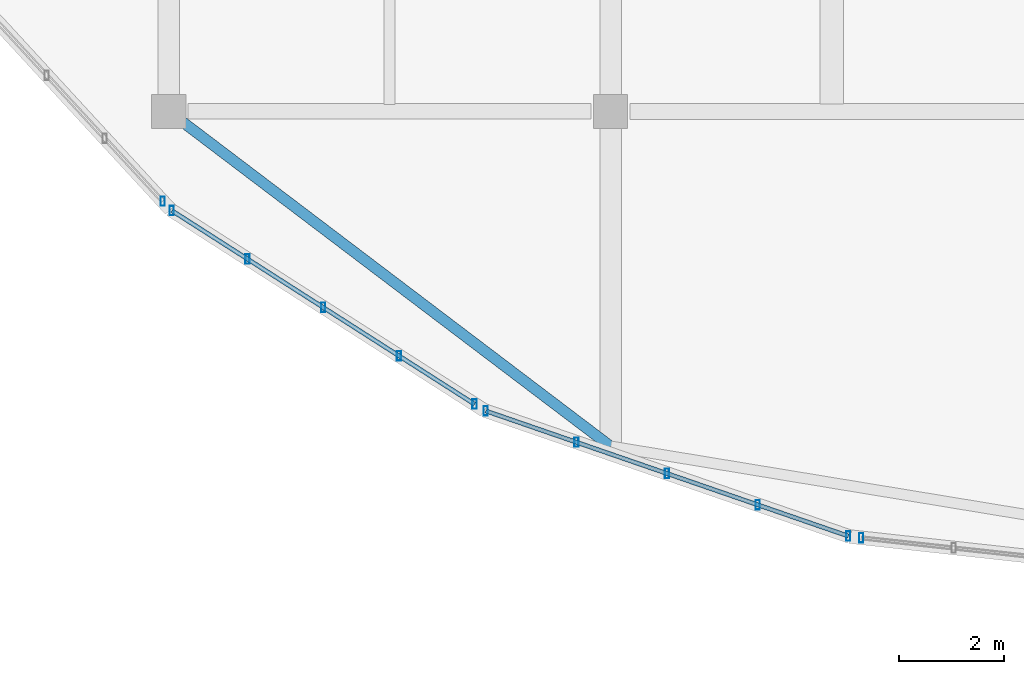
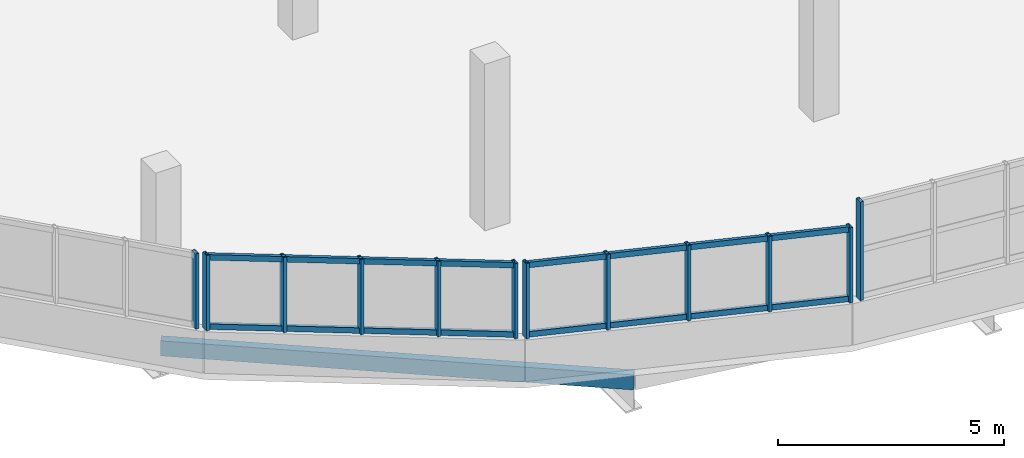
# One storey, part 3 of 50: 16 members, 1 beam, 4 elements without a shape of their own.
"""IFC4 building model written with IfcOpenShell, lengths in metres."""

from ifc_helpers import new_model, si_unit, direction, frame, origin, origin_2d, place, context, subcontext, project, spatial, hollow_rectangle, extrude, material, material_profile, profile_set, type_object, element, aggregate, save


model = new_model("IFC4")

# Units and contexts
model_context = context("Model", 3, precision=1e-05, world=origin(), true_north=direction((0.0, 1.0)))
body_context = subcontext(model_context, "Body", "Model", "MODEL_VIEW")
ifc_project = project(units=[si_unit("LENGTHUNIT", "METRE"), si_unit("AREAUNIT", "SQUARE_METRE"), si_unit("VOLUMEUNIT", "CUBIC_METRE"), si_unit("PLANEANGLEUNIT", "RADIAN"), si_unit("MASSUNIT", "GRAM", prefix="KILO")], contexts=[model_context])

# Site, building, storey
site_placement = place(None, origin())
site = spatial("IfcSite", under=ifc_project, at=site_placement, CompositionType="ELEMENT")
building_placement = place(site_placement, origin())
building = spatial("IfcBuilding", under=site, at=building_placement, Name="Solvento Point Concert Hall", CompositionType="ELEMENT")
storey_placement = place(building_placement, frame((0.0, 0.0, 15.0)))
storey = spatial("IfcBuildingStorey", under=building, at=storey_placement, Name="L03", CompositionType="ELEMENT", Elevation=15.0)

# Curtain wall, members
ifc_material_1 = material(Name="Anodized Bronze Aluminium", Category="aluminium")
curtain_wall_type = type_object("IfcCurtainWallType", Name="CurtainWall_RingRibbon_L03_04", PredefinedType="USERDEFINED", material=ifc_material_1)
curtain_wall_1_placement = place(storey_placement, origin())
curtain_wall_1 = element("IfcCurtainWall", 1, at=curtain_wall_1_placement, inside=storey, type_object=curtain_wall_type, Name="Unitised curtain wall CW-31 UCW-L03-186", ObjectType="UNITISED CURTAIN WALL", PredefinedType="USERDEFINED")
ifc_material_2 = material(Name="Anodized Bronze Aluminium", Category="aluminium")
ifc_material_profile_1 = material_profile(ifc_material_2, hollow_rectangle(XDim=0.080078125, YDim=0.179931640625, WallThickness=0.00390625, at=origin_2d()), Name="CW-MUL-80X180")
ifc_profile_set_1 = profile_set([ifc_material_profile_1], Name="Anodized Bronze Aluminium")
member_type_1 = type_object("IfcMemberType", Name="Mullion_80x180", PredefinedType="MULLION", material=ifc_profile_set_1)
member_1_placement = place(storey_placement, frame((53.717529296875, 8.927490234375, 1.1201171875), z_axis=(0.0, 0.0, 1.0), x_axis=(1.0, 0.0, 0.0)))
member_1 = element("IfcMember", 2, at=member_1_placement, type_object=member_type_1, Name="Curtain wall mullion ML-01", PredefinedType="MULLION", context=body_context, shape_type="SweptSolid", body=[
    extrude(hollow_rectangle(XDim=0.080078125, YDim=0.179931640625, WallThickness=0.00390625, at=origin_2d()), origin(), (0.0, 0.0, 1.0), 2.031982421875),
])
member_2_placement = place(storey_placement, frame((51.995361328125, 9.522216796875, 1.1201171875), z_axis=(0.0, 0.0, 1.0), x_axis=(1.0, 0.0, 0.0)))
member_2 = element("IfcMember", 3, at=member_2_placement, type_object=member_type_1, Name="Curtain wall mullion ML-01", PredefinedType="MULLION", context=body_context, shape_type="SweptSolid", body=[
    extrude(hollow_rectangle(XDim=0.080078125, YDim=0.179931640625, WallThickness=0.00390625, at=origin_2d()), origin(), (0.0, 0.0, 1.0), 2.031982421875),
])
member_3_placement = place(storey_placement, frame((50.27294921875, 10.11669921875, 1.1201171875), z_axis=(0.0, 0.0, 1.0), x_axis=(1.0, 0.0, 0.0)))
member_3 = element("IfcMember", 4, at=member_3_placement, type_object=member_type_1, Name="Curtain wall mullion ML-01", PredefinedType="MULLION", context=body_context, shape_type="SweptSolid", body=[
    extrude(hollow_rectangle(XDim=0.080078125, YDim=0.179931640625, WallThickness=0.00390625, at=origin_2d()), origin(), (0.0, 0.0, 1.0), 2.031982421875),
])
member_4_placement = place(storey_placement, frame((48.55078125, 10.711181640625, 1.1201171875), z_axis=(0.0, 0.0, 1.0), x_axis=(1.0, 0.0, 0.0)))
member_4 = element("IfcMember", 5, at=member_4_placement, type_object=member_type_1, Name="Curtain wall mullion ML-01", PredefinedType="MULLION", context=body_context, shape_type="SweptSolid", body=[
    extrude(hollow_rectangle(XDim=0.080078125, YDim=0.179931640625, WallThickness=0.00390625, at=origin_2d()), origin(), (0.0, 0.0, 1.0), 2.031982421875),
])
member_5_placement = place(storey_placement, frame((46.828369140625, 11.3056640625, 1.1201171875), z_axis=(0.0, 0.0, 1.0), x_axis=(1.0, 0.0, 0.0)))
member_5 = element("IfcMember", 6, at=member_5_placement, type_object=member_type_1, Name="Curtain wall mullion ML-01", PredefinedType="MULLION", context=body_context, shape_type="SweptSolid", body=[
    extrude(hollow_rectangle(XDim=0.080078125, YDim=0.179931640625, WallThickness=0.00390625, at=origin_2d()), origin(), (0.0, 0.0, 1.0), 2.031982421875),
])

curtain_wall_2_placement = place(storey_placement, origin())
curtain_wall_2 = element("IfcCurtainWall", 7, at=curtain_wall_2_placement, inside=storey, type_object=curtain_wall_type, Name="Unitised curtain wall CW-31 UCW-L03-187", ObjectType="UNITISED CURTAIN WALL", PredefinedType="USERDEFINED")
member_6_placement = place(storey_placement, frame((46.61474609375, 11.433837890625, 1.1201171875), z_axis=(0.0, 0.0, 1.0), x_axis=(1.0, 0.0, 0.0)))
member_6 = element("IfcMember", 8, at=member_6_placement, type_object=member_type_1, Name="Curtain wall mullion ML-01", PredefinedType="MULLION", context=body_context, shape_type="SweptSolid", body=[
    extrude(hollow_rectangle(XDim=0.080078125, YDim=0.179931640625, WallThickness=0.00390625, at=origin_2d()), origin(), (0.0, 0.0, 1.0), 2.031982421875),
])
member_7_placement = place(storey_placement, frame((45.176025390625, 12.353759765625, 1.1201171875), z_axis=(0.0, 0.0, 1.0), x_axis=(1.0, 0.0, 0.0)))
member_7 = element("IfcMember", 9, at=member_7_placement, type_object=member_type_1, Name="Curtain wall mullion ML-01", PredefinedType="MULLION", context=body_context, shape_type="SweptSolid", body=[
    extrude(hollow_rectangle(XDim=0.080078125, YDim=0.179931640625, WallThickness=0.00390625, at=origin_2d()), origin(), (0.0, 0.0, 1.0), 2.031982421875),
])
member_8_placement = place(storey_placement, frame((43.737548828125, 13.273681640625, 1.1201171875), z_axis=(0.0, 0.0, 1.0), x_axis=(1.0, 0.0, 0.0)))
member_8 = element("IfcMember", 10, at=member_8_placement, type_object=member_type_1, Name="Curtain wall mullion ML-01", PredefinedType="MULLION", context=body_context, shape_type="SweptSolid", body=[
    extrude(hollow_rectangle(XDim=0.080078125, YDim=0.179931640625, WallThickness=0.00390625, at=origin_2d()), origin(), (0.0, 0.0, 1.0), 2.031982421875),
])
member_9_placement = place(storey_placement, frame((42.299072265625, 14.193359375, 1.1201171875), z_axis=(0.0, 0.0, 1.0), x_axis=(1.0, 0.0, 0.0)))
member_9 = element("IfcMember", 11, at=member_9_placement, type_object=member_type_1, Name="Curtain wall mullion ML-01", PredefinedType="MULLION", context=body_context, shape_type="SweptSolid", body=[
    extrude(hollow_rectangle(XDim=0.080078125, YDim=0.179931640625, WallThickness=0.00390625, at=origin_2d()), origin(), (0.0, 0.0, 1.0), 2.031982421875),
])
member_10_placement = place(storey_placement, frame((40.860595703125, 15.11328125, 1.1201171875), z_axis=(0.0, 0.0, 1.0), x_axis=(1.0, 0.0, 0.0)))
member_10 = element("IfcMember", 12, at=member_10_placement, type_object=member_type_1, Name="Curtain wall mullion ML-01", PredefinedType="MULLION", context=body_context, shape_type="SweptSolid", body=[
    extrude(hollow_rectangle(XDim=0.080078125, YDim=0.179931640625, WallThickness=0.00390625, at=origin_2d()), origin(), (0.0, 0.0, 1.0), 2.031982421875),
])

# Curtain wall, member
curtain_wall_3_placement = place(storey_placement, origin())
curtain_wall_3 = element("IfcCurtainWall", 13, at=curtain_wall_3_placement, inside=storey, type_object=curtain_wall_type, Name="Unitised curtain wall CW-31 UCW-L03-188", ObjectType="UNITISED CURTAIN WALL", PredefinedType="USERDEFINED")
member_11_placement = place(storey_placement, frame((40.686279296875, 15.291259765625, 1.1201171875), z_axis=(0.0, 0.0, 1.0), x_axis=(1.0, 0.0, 0.0)))
member_11 = element("IfcMember", 14, at=member_11_placement, type_object=member_type_1, Name="Curtain wall mullion ML-01", PredefinedType="MULLION", context=body_context, shape_type="SweptSolid", body=[
    extrude(hollow_rectangle(XDim=0.080078125, YDim=0.179931640625, WallThickness=0.00390625, at=origin_2d()), origin(), (0.0, 0.0, 1.0), 2.031982421875),
])
aggregate(curtain_wall_3, [member_11])

curtain_wall_4_placement = place(storey_placement, origin())
curtain_wall_4 = element("IfcCurtainWall", 15, at=curtain_wall_4_placement, inside=storey, type_object=curtain_wall_type, Name="Unitised curtain wall CW-31 UCW-L03-208", ObjectType="UNITISED CURTAIN WALL", PredefinedType="USERDEFINED")
member_12_placement = place(storey_placement, frame((53.964599609375, 8.893798828125, 1.1201171875), z_axis=(0.0, 0.0, 1.0), x_axis=(1.0, 0.0, 0.0)))
member_12 = element("IfcMember", 16, at=member_12_placement, type_object=member_type_1, Name="Curtain wall mullion ML-01", PredefinedType="MULLION", context=body_context, shape_type="SweptSolid", body=[
    extrude(hollow_rectangle(XDim=0.080078125, YDim=0.179931640625, WallThickness=0.00390625, at=origin_2d()), origin(), (0.0, 0.0, 1.0), 2.66748046875),
])
aggregate(curtain_wall_4, [member_12])

# Beam
ifc_material_3 = material(Name="Structural Steel ASTM A500 Grade C", Category="steel")
ifc_material_profile_2 = material_profile(ifc_material_3, hollow_rectangle(XDim=0.203125, YDim=0.406494140625, WallThickness=0.01171875, at=origin_2d()), Name="HSS16X8X1/2")
ifc_profile_set_2 = profile_set([ifc_material_profile_2], Name="Structural Steel ASTM A500 Grade C")
beam_type = type_object("IfcBeamType", Name="RingBeam_HSS16X8", PredefinedType="SPANDREL", material=ifc_profile_set_2)
beam_placement = place(storey_placement, frame((40.800048828125, 17.0, -0.46728515625), z_axis=(0.79691542527, -0.604090891312, 0.0), x_axis=(0.604090891312, 0.79691542527, 0.0)))
element("IfcBeam", 17, at=beam_placement, inside=storey, type_object=beam_type, Name="Elliptical perimeter ring beam RB-01 L03", PredefinedType="SPANDREL", context=body_context, shape_type="SweptSolid", body=[
    extrude(hollow_rectangle(XDim=0.203125, YDim=0.406494140625, WallThickness=0.01171875, at=origin_2d()), origin(), (0.0, 0.0, 1.0), 10.54052734375),
])

# Member
ifc_material_4 = material(Name="Anodized Bronze Aluminium", Category="aluminium")
ifc_material_profile_3 = material_profile(ifc_material_4, hollow_rectangle(XDim=0.080078125, YDim=0.14990234375, WallThickness=0.00390625, at=origin_2d()), Name="CW-TRN-80X150")
ifc_profile_set_3 = profile_set([ifc_material_profile_3], Name="Anodized Bronze Aluminium")
member_type_2 = type_object("IfcMemberType", Name="Transom_80x150", PredefinedType="USERDEFINED", material=ifc_profile_set_3)
member_13_placement = place(storey_placement, frame((53.717529296875, 8.927490234375, 1.199951171875), z_axis=(-0.945262927155, 0.326309666646, 0.0), x_axis=(-0.326309666646, -0.945262927155, 0.0)))
member_13 = element("IfcMember", 18, at=member_13_placement, type_object=member_type_2, Name="Curtain wall transom TR-01", ObjectType="TRANSOM", PredefinedType="USERDEFINED", context=body_context, shape_type="SweptSolid", body=[
    extrude(hollow_rectangle(XDim=0.080078125, YDim=0.14990234375, WallThickness=0.00390625, at=origin_2d()), origin(), (0.0, 0.0, 1.0), 7.2880859375),
])

member_14_placement = place(storey_placement, frame((53.717529296875, 8.927490234375, 3.072021484375), z_axis=(-0.945262927155, 0.326309666646, 0.0), x_axis=(-0.326309666646, -0.945262927155, 0.0)))
member_14 = element("IfcMember", 19, at=member_14_placement, type_object=member_type_2, Name="Curtain wall transom TR-01", ObjectType="TRANSOM", PredefinedType="USERDEFINED", context=body_context, shape_type="SweptSolid", body=[
    extrude(hollow_rectangle(XDim=0.080078125, YDim=0.14990234375, WallThickness=0.00390625, at=origin_2d()), origin(), (0.0, 0.0, 1.0), 7.2880859375),
])

aggregate(curtain_wall_1, [member_1, member_2, member_3, member_4, member_5, member_13, member_14])

member_15_placement = place(storey_placement, frame((46.61474609375, 11.433837890625, 1.199951171875), z_axis=(-0.84248491473, 0.53871993508, 0.0), x_axis=(-0.53871993508, -0.84248491473, 0.0)))
member_15 = element("IfcMember", 20, at=member_15_placement, type_object=member_type_2, Name="Curtain wall transom TR-01", ObjectType="TRANSOM", PredefinedType="USERDEFINED", context=body_context, shape_type="SweptSolid", body=[
    extrude(hollow_rectangle(XDim=0.080078125, YDim=0.14990234375, WallThickness=0.00390625, at=origin_2d()), origin(), (0.0, 0.0, 1.0), 6.830078125),
])

member_16_placement = place(storey_placement, frame((46.61474609375, 11.433837890625, 3.072021484375), z_axis=(-0.84248491473, 0.53871993508, 0.0), x_axis=(-0.53871993508, -0.84248491473, 0.0)))
member_16 = element("IfcMember", 21, at=member_16_placement, type_object=member_type_2, Name="Curtain wall transom TR-01", ObjectType="TRANSOM", PredefinedType="USERDEFINED", context=body_context, shape_type="SweptSolid", body=[
    extrude(hollow_rectangle(XDim=0.080078125, YDim=0.14990234375, WallThickness=0.00390625, at=origin_2d()), origin(), (0.0, 0.0, 1.0), 6.830078125),
])

aggregate(curtain_wall_2, [member_6, member_7, member_8, member_9, member_10, member_15, member_16])

save(model, "model.ifc")
